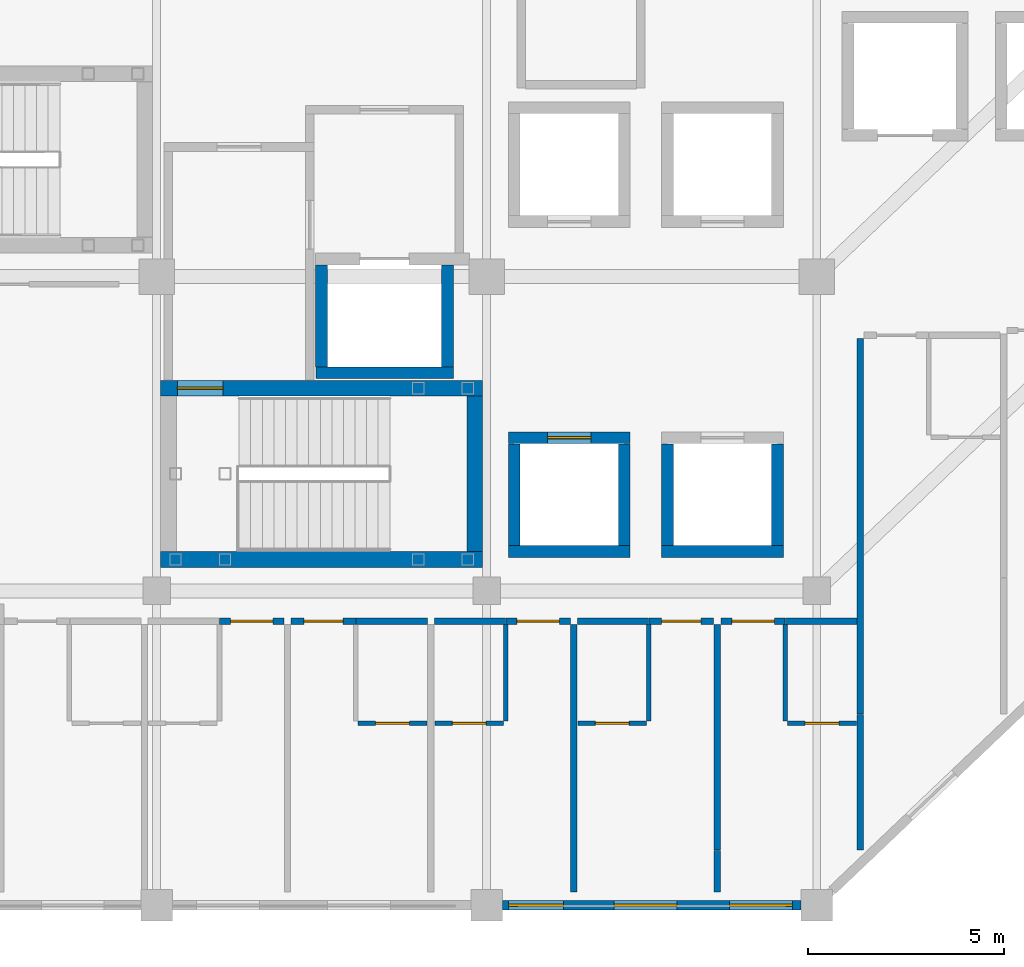
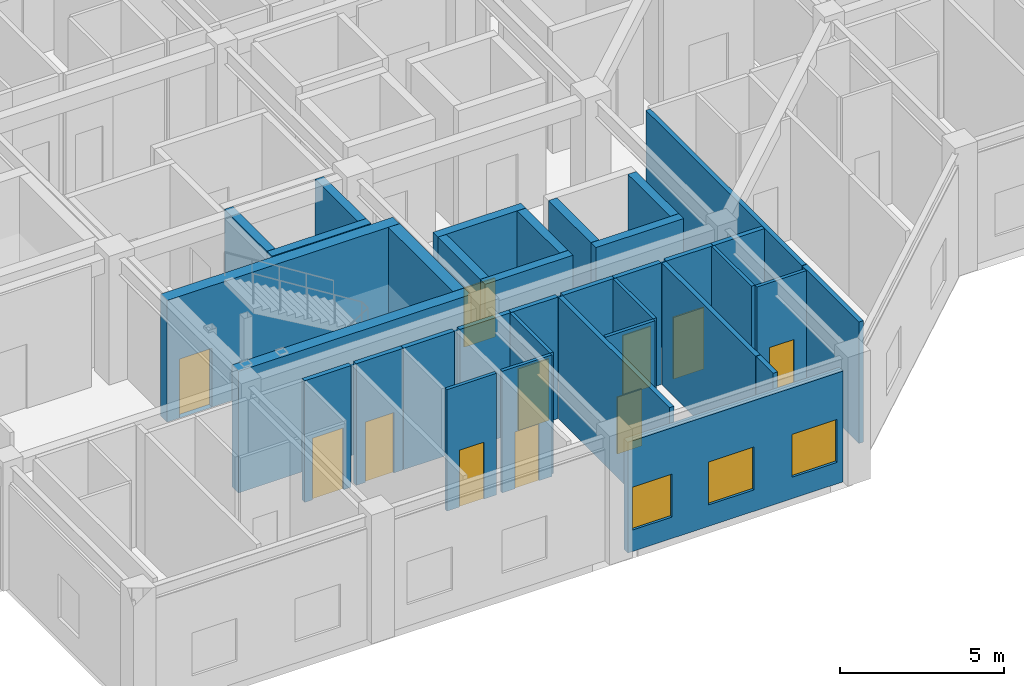
# One storey, part 58 of 76: 35 walls, 11 doors, 3 windows, 14 openings.
"""IFC4 building model written with IfcOpenShell, lengths in metres."""

import ifcopenshell
import ifcopenshell.guid

model = None  # the IFC model being written
_history = None  # IfcOwnerHistory: only IFC2X3 demands one
_inside = {}  # id of a spatial element -> (the spatial element, [elements in it])
_under = {}  # id of a project, library or spatial element -> (it, [spatial elements below it])
_declared = {}  # id of a project -> (the project, [libraries it declares])
_typed = {}  # id of a type object -> (the type object, [elements of that type])
_made_of = {}  # id of a material, layer set ... -> (it, [elements and type objects made of it])


def new_model(schema):
    """Start an empty IFC model of exactly this schema.

    Asked for "IFC4X3", IfcOpenShell would pick the latest addendum, in which some entities
    have other attributes; the version numbers below select the first issue.
    IFC2X3 requires an IfcOwnerHistory on every rooted entity: one is made here for all.
    """
    global model, _history
    if schema == "IFC4X3":
        model = ifcopenshell.file(schema_version=(4, 3, 0, 0))
    else:
        model = ifcopenshell.file(schema=schema)
    _inside.clear()
    _under.clear()
    _declared.clear()
    _typed.clear()
    _made_of.clear()
    _history = None
    if model.schema == "IFC2X3":
        org = make("IfcOrganization", Name="unknown")
        user = make(
            "IfcPersonAndOrganization",
            ThePerson=make("IfcPerson", FamilyName="unknown"),
            TheOrganization=org,
        )
        app = make(
            "IfcApplication",
            ApplicationDeveloper=org,
            Version="unknown",
            ApplicationFullName="unknown",
            ApplicationIdentifier="unknown",
        )
        _history = make(
            "IfcOwnerHistory",
            OwningUser=user,
            OwningApplication=app,
            ChangeAction="ADDED",
            CreationDate=0,
        )
    return model


def make(cls, **values):
    """One entity of the class cls with the attributes given. An attribute that is None is left unset."""
    return model.create_entity(
        cls, **{name: value for name, value in values.items() if value is not None}
    )


def rooted(cls, **values):
    """An entity with a GlobalId (a new one), such as an element, a storey or a relation."""
    return make(cls, GlobalId=ifcopenshell.guid.new(), OwnerHistory=_history, **values)


def si_unit(unit_type, name, prefix=None):
    """IfcSIUnit, for example si_unit("LENGTHUNIT", "METRE", prefix="MILLI")."""
    return make("IfcSIUnit", UnitType=unit_type, Prefix=prefix, Name=name)


def assignment(units):
    """IfcUnitAssignment: the units of a project."""
    return None if units is None else make("IfcUnitAssignment", Units=units)


def point(xyz):
    """IfcCartesianPoint."""
    return None if xyz is None else make("IfcCartesianPoint", Coordinates=xyz)


def direction(xyz):
    """IfcDirection."""
    return None if xyz is None else make("IfcDirection", DirectionRatios=xyz)


def frame(location, z_axis=None, x_axis=None):
    """IfcAxis2Placement3D, a coordinate frame: its origin and axes. An axis left out is left unset."""
    return make(
        "IfcAxis2Placement3D",
        Location=point(location),
        Axis=direction(z_axis),
        RefDirection=direction(x_axis),
    )


def frame_2d(location, x_axis=None):
    """IfcAxis2Placement2D, a coordinate frame in the plane: its origin and x axis."""
    return make(
        "IfcAxis2Placement2D", Location=point(location), RefDirection=direction(x_axis)
    )


def origin():
    """The frame at (0, 0, 0) with its axes left unset."""
    return frame((0.0, 0.0, 0.0))


def place(relative_to, where):
    """IfcLocalPlacement: puts the frame where relative to a parent placement (None: the world)."""
    return make(
        "IfcLocalPlacement", PlacementRelTo=relative_to, RelativePlacement=where
    )


def context(
    kind, dimensions, precision=None, world=None, true_north=None, identifier=None
):
    """IfcGeometricRepresentationContext, for example the 3D "Model" context."""
    return make(
        "IfcGeometricRepresentationContext",
        ContextIdentifier=identifier,
        ContextType=kind,
        CoordinateSpaceDimension=dimensions,
        Precision=precision,
        WorldCoordinateSystem=world,
        TrueNorth=true_north,
    )


def subcontext(parent, identifier, kind, view, scale=None):
    """IfcGeometricRepresentationSubContext, for example "Body" below "Model"."""
    return make(
        "IfcGeometricRepresentationSubContext",
        ContextIdentifier=identifier,
        ContextType=kind,
        ParentContext=parent,
        TargetScale=scale,
        TargetView=view,
    )


def project(units=None, contexts=None):
    """IfcProject with its units and contexts."""
    return rooted(
        "IfcProject",
        Name="project",
        RepresentationContexts=contexts,
        UnitsInContext=assignment(units),
    )


def spatial(cls, under=None, at=None, **own):
    """A site, building, storey or space (cls), placed at a placement, below another one or the project."""
    s = rooted(cls, ObjectPlacement=at, **own)
    if under is not None:
        _under.setdefault(under.id(), (under, []))[1].append(s)
    return s


def profile(cls, at=None, kind="AREA", **sizes):
    """A parametric profile (cls). Its sizes go by their IFC names, for example OverallWidth=200.0."""
    return make(cls, ProfileType=kind, Position=at, **sizes)


def rectangle(**sizes):
    """IfcRectangleProfileDef."""
    return profile("IfcRectangleProfileDef", **sizes)


def extrude(swept, where, along, depth):
    """IfcExtrudedAreaSolid: the profile swept, set in the frame where, extruded along a direction by depth."""
    return make(
        "IfcExtrudedAreaSolid",
        SweptArea=swept,
        Position=where,
        ExtrudedDirection=direction(along),
        Depth=depth,
    )


def shape(context_of_items, identifier, shape_type, items):
    """IfcShapeRepresentation: the items that make up one representation, for example the "Body"."""
    return make(
        "IfcShapeRepresentation",
        ContextOfItems=context_of_items,
        RepresentationIdentifier=identifier,
        RepresentationType=shape_type,
        Items=items,
    )


def material(Name=None, Category=None):
    """IfcMaterial."""
    return make("IfcMaterial", Name=Name, Category=Category)


def layer(
    of_material, thickness, ventilated=None, Name=None, Category=None, Priority=None
):
    """IfcMaterialLayer: one layer of a wall or slab, of a material (None: an air gap)."""
    return make(
        "IfcMaterialLayer",
        Material=of_material,
        LayerThickness=thickness,
        IsVentilated=ventilated,
        Name=Name,
        Category=Category,
        Priority=Priority,
    )


def layer_set(layers, Name=None):
    """IfcMaterialLayerSet."""
    return make("IfcMaterialLayerSet", MaterialLayers=layers, LayerSetName=Name)


def made_of(thing, what):
    """Note that an element or type object is made of a material, layer set ...; save() writes the relation."""
    if what is not None:
        _made_of.setdefault(what.id(), (what, []))[1].append(thing)
    return thing


def type_object(cls, material=None, **own):
    """A type object (cls), such as IfcWallType, which elements share."""
    return made_of(rooted(cls, **own), material)


def element(
    cls,
    number,
    at=None,
    inside=None,
    cuts=None,
    type_object=None,
    material=None,
    context=None,
    identifier="Body",
    shape_type=None,
    held_by="IfcProductDefinitionShape",
    body=None,
    shapes=None,
    **own,
):
    """One element of the class cls, such as IfcWall. Its Tag is "e" and its number.

    at: its placement. inside: the storey or other place that contains it. cuts: it is an
    opening in that element (IfcRelVoidsElement). A single representation is given by context,
    identifier, shape_type and body (its items); several are given by shapes. held_by: the class
    of the entity that holds the representations. save() writes the other relations.
    """
    e = rooted(cls, Tag="e%d" % number, ObjectPlacement=at, **own)
    if body is not None:
        shapes = [shape(context, identifier, shape_type, body)]
    if shapes is not None:
        e.Representation = make(held_by, Representations=shapes)
    if inside is not None:
        _inside.setdefault(inside.id(), (inside, []))[1].append(e)
    if cuts is not None:
        rooted(
            "IfcRelVoidsElement", RelatingBuildingElement=cuts, RelatedOpeningElement=e
        )
    if type_object is not None:
        _typed.setdefault(type_object.id(), (type_object, []))[1].append(e)
    return made_of(e, material)


def fill(opening, filler):
    """IfcRelFillsElement: the door or window that sits in an opening."""
    return rooted(
        "IfcRelFillsElement",
        RelatingOpeningElement=opening,
        RelatedBuildingElement=filler,
    )


def aggregate(whole, parts):
    """IfcRelAggregates: a whole, such as a stair, and the parts it consists of."""
    return rooted("IfcRelAggregates", RelatingObject=whole, RelatedObjects=parts)


def save(model, path):
    """Write the relations noted so far, then the file.

    IfcRelAggregates (storeys below a building ...), IfcRelContainedInSpatialStructure (elements
    in a storey), IfcRelDefinesByType, IfcRelAssociatesMaterial and IfcRelDeclares: one each for
    every whole, place, type object, material and project.
    """
    for whole, parts in _under.values():
        aggregate(whole, parts)
    for where, things in _inside.values():
        rooted(
            "IfcRelContainedInSpatialStructure",
            RelatedElements=things,
            RelatingStructure=where,
        )
    for kind, things in _typed.values():
        rooted("IfcRelDefinesByType", RelatedObjects=things, RelatingType=kind)
    for what, things in _made_of.values():
        rooted("IfcRelAssociatesMaterial", RelatedObjects=things, RelatingMaterial=what)
    for by, libraries in _declared.values():
        rooted("IfcRelDeclares", RelatingContext=by, RelatedDefinitions=libraries)
    model.write(path)


model = new_model("IFC4")

# Units and contexts
model_context = context("Model", 3, precision=1e-05, world=origin(), true_north=direction((0.0, 1.0)))
body_context = subcontext(model_context, "Body", "Model", "MODEL_VIEW")
ifc_project = project(units=[si_unit("LENGTHUNIT", "METRE"), si_unit("AREAUNIT", "SQUARE_METRE"), si_unit("VOLUMEUNIT", "CUBIC_METRE"), si_unit("PLANEANGLEUNIT", "RADIAN"), si_unit("MASSUNIT", "GRAM", prefix="KILO")], contexts=[model_context])

# Site, building, storey
site_placement = place(None, origin())
site = spatial("IfcSite", under=ifc_project, at=site_placement, CompositionType="ELEMENT")
building_placement = place(site_placement, origin())
building = spatial("IfcBuilding", under=site, at=building_placement, Name="Naruveol Harbour Congress Hotel", CompositionType="ELEMENT")
storey_placement = place(building_placement, frame((0.0, 0.0, 11.39990234375)))
storey = spatial("IfcBuildingStorey", under=building, at=storey_placement, Name="L02", CompositionType="ELEMENT", Elevation=11.39990234375)

# Wall, opening, door
ifc_material_1 = material(Name="Moisture-Resistant Gypsum Partition", Category="gypsum")
ifc_layer_1 = layer(ifc_material_1, 0.114990234375)
ifc_layer_set_1 = layer_set([ifc_layer_1], Name="Moisture-Resistant Gypsum Partition")
wall_type_1 = type_object("IfcWallType", Name="BATHROOM MOISTURE PARTITION WALL 115", PredefinedType="PARTITIONING", material=ifc_layer_set_1)
wall_1_placement = place(storey_placement, frame((131.1298828125, 4.6298828125, 0.0), z_axis=(0.0, 0.0, 1.0), x_axis=(1.0, 0.0, 0.0)))
wall_1 = element("IfcWall", 1, at=wall_1_placement, inside=storey, type_object=wall_type_1, Name="Bathroom south wall 0304 PW-115", PredefinedType="PARTITIONING", context=body_context, shape_type="SweptSolid", body=[
    extrude(rectangle(XDim=1.75, YDim=0.114990234375, at=frame_2d((0.875, 0.0))), origin(), (0.0, 0.0, 1.0), 4.53515625),
])
opening_1_placement = place(wall_1_placement, frame((0.445068359375, 0.0, 0.0)))
opening_1 = element("IfcOpeningElement", 2, at=opening_1_placement, cuts=wall_1, Name="Opening BD-RM0304", PredefinedType="OPENING", context=body_context, shape_type="SweptSolid", body=[
    extrude(rectangle(XDim=0.860107421875, YDim=2.1201171875, at=frame_2d((0.43017578125, 1.06005859375))), frame((0.0, 0.0673828125, 0.0), z_axis=(0.0, -1.0, 0.0), x_axis=(1.0, 0.0, 0.0)), (0.0, 0.0, 1.0), 0.135009765625),
])
ifc_material_2 = material(Name="Timber & Steel Acoustic Leaf", Category="steel")
door_type_1 = type_object("IfcDoorType", Name="GUEST BATHROOM DOOR 860X2120", OperationType="NOTDEFINED", PredefinedType="DOOR", material=ifc_material_2)
door_1_placement = place(opening_1_placement, origin())
door_1 = element("IfcDoor", 3, at=door_1_placement, inside=storey, type_object=door_type_1, Name="Bathroom Door 0304", OperationType="SINGLE_SWING_RIGHT", OverallHeight=2.1201171875, OverallWidth=0.860107421875, PredefinedType="DOOR", context=body_context, shape_type="SweptSolid", body=[
    extrude(rectangle(XDim=0.860107421875, YDim=2.1201171875, at=frame_2d((0.43017578125, 1.06005859375))), frame((0.0, 0.02490234375, 0.0), z_axis=(0.0, -1.0, 0.0), x_axis=(1.0, 0.0, 0.0)), (0.0, 0.0, 1.0), 0.050048828125),
])
fill(opening_1, door_1)

# Wall
wall_2_placement = place(storey_placement, frame((134.889892578125, 4.68994140625, 0.0), z_axis=(0.0, 0.0, 1.0), x_axis=(0.0, 1.0, 0.0)))
element("IfcWall", 4, at=wall_2_placement, inside=storey, type_object=wall_type_1, Name="Bathroom east wall 0305 PW-115", PredefinedType="PARTITIONING", context=body_context, shape_type="SweptSolid", body=[
    extrude(rectangle(XDim=2.449951171875, YDim=0.114990234375, at=frame_2d((1.22509765625, 0.0))), origin(), (0.0, 0.0, 1.0), 4.53515625),
])

# Wall, opening, door
wall_3_placement = place(storey_placement, frame((133.080078125, 4.6298828125, 0.0), z_axis=(0.0, 0.0, 1.0), x_axis=(1.0, 0.0, 0.0)))
wall_3 = element("IfcWall", 5, at=wall_3_placement, inside=storey, type_object=wall_type_1, Name="Bathroom south wall 0305 PW-115", PredefinedType="PARTITIONING", context=body_context, shape_type="SweptSolid", body=[
    extrude(rectangle(XDim=1.75, YDim=0.114990234375, at=frame_2d((0.875, 0.0))), origin(), (0.0, 0.0, 1.0), 4.53515625),
])
opening_2_placement = place(wall_3_placement, frame((0.445068359375, 0.0, 0.0)))
opening_2 = element("IfcOpeningElement", 6, at=opening_2_placement, cuts=wall_3, Name="Opening BD-RM0305", PredefinedType="OPENING", context=body_context, shape_type="SweptSolid", body=[
    extrude(rectangle(XDim=0.860107421875, YDim=2.1201171875, at=frame_2d((0.43017578125, 1.06005859375))), frame((0.0, 0.0673828125, 0.0), z_axis=(0.0, -1.0, 0.0), x_axis=(1.0, 0.0, 0.0)), (0.0, 0.0, 1.0), 0.135009765625),
])
door_2_placement = place(opening_2_placement, origin())
door_2 = element("IfcDoor", 7, at=door_2_placement, inside=storey, type_object=door_type_1, Name="Bathroom Door 0305", OperationType="SINGLE_SWING_RIGHT", OverallHeight=2.1201171875, OverallWidth=0.860107421875, PredefinedType="DOOR", context=body_context, shape_type="SweptSolid", body=[
    extrude(rectangle(XDim=0.860107421875, YDim=2.1201171875, at=frame_2d((0.43017578125, 1.06005859375))), frame((0.0, 0.02490234375, 0.0), z_axis=(0.0, -1.0, 0.0), x_axis=(1.0, 0.0, 0.0)), (0.0, 0.0, 1.0), 0.050048828125),
])
fill(opening_2, door_2)

# Wall
wall_4_placement = place(storey_placement, frame((138.530029296875, 4.68994140625, 0.0), z_axis=(0.0, 0.0, 1.0), x_axis=(0.0, 1.0, 0.0)))
element("IfcWall", 8, at=wall_4_placement, inside=storey, type_object=wall_type_1, Name="Bathroom east wall 0306 PW-115", PredefinedType="PARTITIONING", context=body_context, shape_type="SweptSolid", body=[
    extrude(rectangle(XDim=2.449951171875, YDim=0.114990234375, at=frame_2d((1.22509765625, 0.0))), origin(), (0.0, 0.0, 1.0), 4.53515625),
])

# Wall, opening, door
wall_5_placement = place(storey_placement, frame((136.719970703125, 4.6298828125, 0.0), z_axis=(0.0, 0.0, 1.0), x_axis=(1.0, 0.0, 0.0)))
wall_5 = element("IfcWall", 9, at=wall_5_placement, inside=storey, type_object=wall_type_1, Name="Bathroom south wall 0306 PW-115", PredefinedType="PARTITIONING", context=body_context, shape_type="SweptSolid", body=[
    extrude(rectangle(XDim=1.75, YDim=0.114990234375, at=frame_2d((0.875, 0.0))), origin(), (0.0, 0.0, 1.0), 4.53515625),
])
opening_3_placement = place(wall_5_placement, frame((0.445068359375, 0.0, 0.0)))
opening_3 = element("IfcOpeningElement", 10, at=opening_3_placement, cuts=wall_5, Name="Opening BD-RM0306", PredefinedType="OPENING", context=body_context, shape_type="SweptSolid", body=[
    extrude(rectangle(XDim=0.860107421875, YDim=2.1201171875, at=frame_2d((0.43017578125, 1.06005859375))), frame((0.0, 0.0673828125, 0.0), z_axis=(0.0, -1.0, 0.0), x_axis=(1.0, 0.0, 0.0)), (0.0, 0.0, 1.0), 0.135009765625),
])
door_3_placement = place(opening_3_placement, origin())
door_3 = element("IfcDoor", 11, at=door_3_placement, inside=storey, type_object=door_type_1, Name="Bathroom Door 0306", OperationType="SINGLE_SWING_RIGHT", OverallHeight=2.1201171875, OverallWidth=0.860107421875, PredefinedType="DOOR", context=body_context, shape_type="SweptSolid", body=[
    extrude(rectangle(XDim=0.860107421875, YDim=2.1201171875, at=frame_2d((0.43017578125, 1.06005859375))), frame((0.0, 0.02490234375, 0.0), z_axis=(0.0, -1.0, 0.0), x_axis=(1.0, 0.0, 0.0)), (0.0, 0.0, 1.0), 0.050048828125),
])
fill(opening_3, door_3)

# Wall
wall_6_placement = place(storey_placement, frame((142.0, 4.68994140625, 0.0), z_axis=(0.0, 0.0, 1.0), x_axis=(0.0, 1.0, 0.0)))
element("IfcWall", 12, at=wall_6_placement, inside=storey, type_object=wall_type_1, Name="Bathroom west wall 0307 PW-115", PredefinedType="PARTITIONING", context=body_context, shape_type="SweptSolid", body=[
    extrude(rectangle(XDim=2.449951171875, YDim=0.114990234375, at=frame_2d((1.22509765625, 0.0))), origin(), (0.0, 0.0, 1.0), 4.53515625),
])

# Wall, opening, door
wall_7_placement = place(storey_placement, frame((142.06005859375, 4.6298828125, 0.0), z_axis=(0.0, 0.0, 1.0), x_axis=(1.0, 0.0, 0.0)))
wall_7 = element("IfcWall", 13, at=wall_7_placement, inside=storey, type_object=wall_type_1, Name="Bathroom south wall 0307 PW-115", PredefinedType="PARTITIONING", context=body_context, shape_type="SweptSolid", body=[
    extrude(rectangle(XDim=1.75, YDim=0.114990234375, at=frame_2d((0.875, 0.0))), origin(), (0.0, 0.0, 1.0), 4.53515625),
])
opening_4_placement = place(wall_7_placement, frame((0.445068359375, 0.0, 0.0)))
opening_4 = element("IfcOpeningElement", 14, at=opening_4_placement, cuts=wall_7, Name="Opening BD-RM0307", PredefinedType="OPENING", context=body_context, shape_type="SweptSolid", body=[
    extrude(rectangle(XDim=0.860107421875, YDim=2.1201171875, at=frame_2d((0.43017578125, 1.06005859375))), frame((0.0, 0.0673828125, 0.0), z_axis=(0.0, -1.0, 0.0), x_axis=(1.0, 0.0, 0.0)), (0.0, 0.0, 1.0), 0.135009765625),
])
door_4_placement = place(opening_4_placement, origin())
door_4 = element("IfcDoor", 15, at=door_4_placement, inside=storey, type_object=door_type_1, Name="Bathroom Door 0307", OperationType="SINGLE_SWING_RIGHT", OverallHeight=2.1201171875, OverallWidth=0.860107421875, PredefinedType="DOOR", context=body_context, shape_type="SweptSolid", body=[
    extrude(rectangle(XDim=0.860107421875, YDim=2.1201171875, at=frame_2d((0.43017578125, 1.06005859375))), frame((0.0, 0.02490234375, 0.0), z_axis=(0.0, -1.0, 0.0), x_axis=(1.0, 0.0, 0.0)), (0.0, 0.0, 1.0), 0.050048828125),
])
fill(opening_4, door_4)

ifc_material_3 = material(Name="Autoclaved Aerated Concrete Block", Category="concrete")
ifc_layer_2 = layer(ifc_material_3, 0.159912109375)
ifc_layer_set_2 = layer_set([ifc_layer_2], Name="Autoclaved Aerated Concrete Block")
wall_type_2 = type_object("IfcWallType", Name="HOTEL PARTY AND CORRIDOR WALL 160 EI60", PredefinedType="PARTITIONING", material=ifc_layer_set_2)
wall_8_placement = place(storey_placement, frame((127.60009765625, 7.22998046875, 0.0), z_axis=(0.0, 0.0, 1.0), x_axis=(1.0, 0.0, 0.0)))
wall_8 = element("IfcWall", 16, at=wall_8_placement, inside=storey, type_object=wall_type_2, Name="Corridor entry wall 0303 PW-160", PredefinedType="PARTITIONING", context=body_context, shape_type="SweptSolid", body=[
    extrude(rectangle(XDim=1.639892578125, YDim=0.159912109375, at=frame_2d((0.81982421875, 0.0))), origin(), (0.0, 0.0, 1.0), 4.53515625),
])
opening_5_placement = place(wall_8_placement, frame((0.280029296875, 0.0, 0.0)))
opening_5 = element("IfcOpeningElement", 17, at=opening_5_placement, cuts=wall_8, Name="Opening FD-RM0303", PredefinedType="OPENING", context=body_context, shape_type="SweptSolid", body=[
    extrude(rectangle(XDim=1.080078125, YDim=2.300048828125, at=frame_2d((0.5400390625, 1.14990234375))), frame((0.0, 0.08984375, 0.0), z_axis=(0.0, -1.0, 0.0), x_axis=(1.0, 0.0, 0.0)), (0.0, 0.0, 1.0), 0.179931640625),
])
ifc_material_4 = material(Name="Timber & Steel Acoustic Leaf", Category="steel")
door_type_2 = type_object("IfcDoorType", Name="SUITE ENTRANCE FIRE DOOR 1080X2300", OperationType="NOTDEFINED", PredefinedType="DOOR", material=ifc_material_4)
door_5_placement = place(opening_5_placement, origin())
door_5 = element("IfcDoor", 18, at=door_5_placement, inside=storey, type_object=door_type_2, Name="Hotel Room Door 0303", OperationType="SINGLE_SWING_LEFT", OverallHeight=2.300048828125, OverallWidth=1.080078125, PredefinedType="DOOR", context=body_context, shape_type="SweptSolid", body=[
    extrude(rectangle(XDim=1.080078125, YDim=2.300048828125, at=frame_2d((0.5400390625, 1.14990234375))), frame((0.0, 0.02490234375, 0.0), z_axis=(0.0, -1.0, 0.0), x_axis=(1.0, 0.0, 0.0)), (0.0, 0.0, 1.0), 0.050048828125),
])
fill(opening_5, door_5)

wall_9_placement = place(storey_placement, frame((129.419921875, 7.22998046875, 0.0), z_axis=(0.0, 0.0, 1.0), x_axis=(1.0, 0.0, 0.0)))
wall_9 = element("IfcWall", 19, at=wall_9_placement, inside=storey, type_object=wall_type_2, Name="Corridor entry wall 0304 PW-160", PredefinedType="PARTITIONING", context=body_context, shape_type="SweptSolid", body=[
    extrude(rectangle(XDim=1.650146484375, YDim=0.159912109375, at=frame_2d((0.8251953125, 0.0))), origin(), (0.0, 0.0, 1.0), 4.53515625),
])
opening_6_placement = place(wall_9_placement, frame((0.324951171875, 0.0, 0.0)))
opening_6 = element("IfcOpeningElement", 20, at=opening_6_placement, cuts=wall_9, Name="Opening FD-RM0304", PredefinedType="OPENING", context=body_context, shape_type="SweptSolid", body=[
    extrude(rectangle(XDim=1.0, YDim=2.25, at=frame_2d((0.5, 1.125))), frame((0.0, 0.08984375, 0.0), z_axis=(0.0, -1.0, 0.0), x_axis=(1.0, 0.0, 0.0)), (0.0, 0.0, 1.0), 0.179931640625),
])
ifc_material_5 = material(Name="Timber & Steel Acoustic Leaf", Category="steel")
door_type_3 = type_object("IfcDoorType", Name="DELUXE GUEST ENTRANCE FIRE DOOR 1000X2250", OperationType="NOTDEFINED", PredefinedType="DOOR", material=ifc_material_5)
door_6_placement = place(opening_6_placement, origin())
door_6 = element("IfcDoor", 21, at=door_6_placement, inside=storey, type_object=door_type_3, Name="Hotel Room Door 0304", OperationType="SINGLE_SWING_LEFT", OverallHeight=2.25, OverallWidth=1.0, PredefinedType="DOOR", context=body_context, shape_type="SweptSolid", body=[
    extrude(rectangle(XDim=1.0, YDim=2.25, at=frame_2d((0.5, 1.125))), frame((0.0, 0.02490234375, 0.0), z_axis=(0.0, -1.0, 0.0), x_axis=(1.0, 0.0, 0.0)), (0.0, 0.0, 1.0), 0.050048828125),
])
fill(opening_6, door_6)

# Walls
for number, where, z_axis, x_axis, name in (
    (22, (131.080078125, 7.22998046875, 0.0), (0.0, 0.0, 1.0), (1.0, 0.0, 0.0), "Corridor wall 0304B PW-160"),
    (23, (133.070068359375, 7.22998046875, 0.0), (0.0, 0.0, 1.0), (1.0, 0.0, 0.0), "Corridor wall 0305B PW-160"),
):
    element("IfcWall", number, at=place(storey_placement, frame(where, z_axis=z_axis, x_axis=x_axis)), inside=storey, type_object=wall_type_2, Name=name, PredefinedType="PARTITIONING", context=body_context, shape_type="SweptSolid", body=[
        extrude(rectangle(XDim=1.809814453125, YDim=0.159912109375, at=frame_2d((0.90478515625, 0.0))), origin(), (0.0, 0.0, 1.0), 4.53515625),
    ])

# Wall, opening, door
wall_10_placement = place(storey_placement, frame((134.889892578125, 7.22998046875, 0.0), z_axis=(0.0, 0.0, 1.0), x_axis=(1.0, 0.0, 0.0)))
wall_10 = element("IfcWall", 24, at=wall_10_placement, inside=storey, type_object=wall_type_2, Name="Corridor entry wall 0305 PW-160", PredefinedType="PARTITIONING", context=body_context, shape_type="SweptSolid", body=[
    extrude(rectangle(XDim=1.64013671875, YDim=0.159912109375, at=frame_2d((0.820068359375, 0.0))), origin(), (0.0, 0.0, 1.0), 4.53515625),
])
opening_7_placement = place(wall_10_placement, frame((0.280029296875, 0.0, 0.0)))
opening_7 = element("IfcOpeningElement", 25, at=opening_7_placement, cuts=wall_10, Name="Opening FD-RM0305", PredefinedType="OPENING", context=body_context, shape_type="SweptSolid", body=[
    extrude(rectangle(XDim=1.080078125, YDim=2.300048828125, at=frame_2d((0.5400390625, 1.14990234375))), frame((0.0, 0.08984375, 0.0), z_axis=(0.0, -1.0, 0.0), x_axis=(1.0, 0.0, 0.0)), (0.0, 0.0, 1.0), 0.179931640625),
])
door_7_placement = place(opening_7_placement, origin())
door_7 = element("IfcDoor", 26, at=door_7_placement, inside=storey, type_object=door_type_2, Name="Hotel Room Door 0305", OperationType="SINGLE_SWING_LEFT", OverallHeight=2.300048828125, OverallWidth=1.080078125, PredefinedType="DOOR", context=body_context, shape_type="SweptSolid", body=[
    extrude(rectangle(XDim=1.080078125, YDim=2.300048828125, at=frame_2d((0.5400390625, 1.14990234375))), frame((0.0, 0.02490234375, 0.0), z_axis=(0.0, -1.0, 0.0), x_axis=(1.0, 0.0, 0.0)), (0.0, 0.0, 1.0), 0.050048828125),
])
fill(opening_7, door_7)

# Wall
wall_11_placement = place(storey_placement, frame((136.7099609375, 7.22998046875, 0.0), z_axis=(0.0, 0.0, 1.0), x_axis=(1.0, 0.0, 0.0)))
element("IfcWall", 27, at=wall_11_placement, inside=storey, type_object=wall_type_2, Name="Corridor wall 0306B PW-160", PredefinedType="PARTITIONING", context=body_context, shape_type="SweptSolid", body=[
    extrude(rectangle(XDim=1.81005859375, YDim=0.159912109375, at=frame_2d((0.905029296875, 0.0))), origin(), (0.0, 0.0, 1.0), 4.53515625),
])

# Wall, opening, door
wall_12_placement = place(storey_placement, frame((138.530029296875, 7.22998046875, 0.0), z_axis=(0.0, 0.0, 1.0), x_axis=(1.0, 0.0, 0.0)))
wall_12 = element("IfcWall", 28, at=wall_12_placement, inside=storey, type_object=wall_type_2, Name="Corridor entry wall 0306 PW-160", PredefinedType="PARTITIONING", context=body_context, shape_type="SweptSolid", body=[
    extrude(rectangle(XDim=1.64990234375, YDim=0.159912109375, at=frame_2d((0.824951171875, 0.0))), origin(), (0.0, 0.0, 1.0), 4.53515625),
])
opening_8_placement = place(wall_12_placement, frame((0.324951171875, 0.0, 0.0)))
opening_8 = element("IfcOpeningElement", 29, at=opening_8_placement, cuts=wall_12, Name="Opening FD-RM0306", PredefinedType="OPENING", context=body_context, shape_type="SweptSolid", body=[
    extrude(rectangle(XDim=1.0, YDim=2.25, at=frame_2d((0.5, 1.125))), frame((0.0, 0.08984375, 0.0), z_axis=(0.0, -1.0, 0.0), x_axis=(1.0, 0.0, 0.0)), (0.0, 0.0, 1.0), 0.179931640625),
])
door_8_placement = place(opening_8_placement, origin())
door_8 = element("IfcDoor", 30, at=door_8_placement, inside=storey, type_object=door_type_3, Name="Hotel Room Door 0306", OperationType="SINGLE_SWING_LEFT", OverallHeight=2.25, OverallWidth=1.0, PredefinedType="DOOR", context=body_context, shape_type="SweptSolid", body=[
    extrude(rectangle(XDim=1.0, YDim=2.25, at=frame_2d((0.5, 1.125))), frame((0.0, 0.02490234375, 0.0), z_axis=(0.0, -1.0, 0.0), x_axis=(1.0, 0.0, 0.0)), (0.0, 0.0, 1.0), 0.050048828125),
])
fill(opening_8, door_8)

# Walls
wall_13_placement = place(storey_placement, frame((136.6201171875, 0.340087890625, 0.0), z_axis=(0.0, 0.0, 1.0), x_axis=(0.0, 1.0, 0.0)))
element("IfcWall", 31, at=wall_13_placement, inside=storey, type_object=wall_type_2, Name="Hotel party wall 0306 PW-160", PredefinedType="PARTITIONING", context=body_context, shape_type="SweptSolid", body=[
    extrude(rectangle(XDim=6.7998046875, YDim=0.159912109375, at=frame_2d((3.39990234375, 0.0))), origin(), (0.0, 0.0, 1.0), 4.53515625),
])
wall_14_placement = place(storey_placement, frame((140.27001953125, 0.340087890625, 0.0), z_axis=(0.0, 0.0, 1.0), x_axis=(0.0, 1.0, 0.0)))
element("IfcWall", 32, at=wall_14_placement, inside=storey, type_object=wall_type_2, Name="Hotel end party wall 0306 PW-160", PredefinedType="PARTITIONING", context=body_context, shape_type="SweptSolid", body=[
    extrude(rectangle(XDim=1.0498046875, YDim=0.159912109375, at=frame_2d((0.52490234375, 0.0))), origin(), (0.0, 0.0, 1.0), 4.53515625),
])

# Wall, opening, door
wall_15_placement = place(storey_placement, frame((140.360107421875, 7.22998046875, 0.0), z_axis=(0.0, 0.0, 1.0), x_axis=(1.0, 0.0, 0.0)))
wall_15 = element("IfcWall", 33, at=wall_15_placement, inside=storey, type_object=wall_type_2, Name="Corridor entry wall 0307 PW-160", PredefinedType="PARTITIONING", context=body_context, shape_type="SweptSolid", body=[
    extrude(rectangle(XDim=1.639892578125, YDim=0.159912109375, at=frame_2d((0.81982421875, 0.0))), origin(), (0.0, 0.0, 1.0), 4.53515625),
])
opening_9_placement = place(wall_15_placement, frame((0.280029296875, 0.0, 0.0)))
opening_9 = element("IfcOpeningElement", 34, at=opening_9_placement, cuts=wall_15, Name="Opening FD-RM0307", PredefinedType="OPENING", context=body_context, shape_type="SweptSolid", body=[
    extrude(rectangle(XDim=1.080078125, YDim=2.300048828125, at=frame_2d((0.5400390625, 1.14990234375))), frame((0.0, 0.08984375, 0.0), z_axis=(0.0, -1.0, 0.0), x_axis=(1.0, 0.0, 0.0)), (0.0, 0.0, 1.0), 0.179931640625),
])
door_9_placement = place(opening_9_placement, origin())
door_9 = element("IfcDoor", 35, at=door_9_placement, inside=storey, type_object=door_type_2, Name="Hotel Room Door 0307", OperationType="SINGLE_SWING_LEFT", OverallHeight=2.300048828125, OverallWidth=1.080078125, PredefinedType="DOOR", context=body_context, shape_type="SweptSolid", body=[
    extrude(rectangle(XDim=1.080078125, YDim=2.300048828125, at=frame_2d((0.5400390625, 1.14990234375))), frame((0.0, 0.02490234375, 0.0), z_axis=(0.0, -1.0, 0.0), x_axis=(1.0, 0.0, 0.0)), (0.0, 0.0, 1.0), 0.050048828125),
])
fill(opening_9, door_9)

# Walls
wall_16_placement = place(storey_placement, frame((142.010009765625, 7.22998046875, 0.0), z_axis=(0.0, 0.0, 1.0), x_axis=(1.0, 0.0, 0.0)))
element("IfcWall", 36, at=wall_16_placement, inside=storey, type_object=wall_type_2, Name="Corridor wall 0307B PW-160", PredefinedType="PARTITIONING", context=body_context, shape_type="SweptSolid", body=[
    extrude(rectangle(XDim=1.81005859375, YDim=0.159912109375, at=frame_2d((0.905029296875, 0.0))), origin(), (0.0, 0.0, 1.0), 4.53515625),
])
wall_17_placement = place(storey_placement, frame((140.27001953125, 1.39990234375, 0.0), z_axis=(0.0, 0.0, 1.0), x_axis=(0.0, 1.0, 0.0)))
element("IfcWall", 37, at=wall_17_placement, inside=storey, type_object=wall_type_2, Name="Hotel party wall 0307 PW-160", PredefinedType="PARTITIONING", context=body_context, shape_type="SweptSolid", body=[
    extrude(rectangle(XDim=5.739990234375, YDim=0.159912109375, at=frame_2d((2.8701171875, 0.0))), origin(), (0.0, 0.0, 1.0), 4.53515625),
])
wall_18_placement = place(storey_placement, frame((143.909912109375, 1.39990234375, 0.0), z_axis=(0.0, 0.0, 1.0), x_axis=(0.0, 1.0, 0.0)))
element("IfcWall", 38, at=wall_18_placement, inside=storey, type_object=wall_type_2, Name="Hotel end party wall 0307 PW-160", PredefinedType="PARTITIONING", context=body_context, shape_type="SweptSolid", body=[
    extrude(rectangle(XDim=3.460205078125, YDim=0.159912109375, at=frame_2d((1.72998046875, 0.0))), origin(), (0.0, 0.0, 1.0), 4.53515625),
])
wall_19_placement = place(storey_placement, frame((143.909912109375, 4.8701171875, 0.0), z_axis=(0.0, 0.0, 1.0), x_axis=(0.0, 1.0, 0.0)))
element("IfcWall", 39, at=wall_19_placement, inside=storey, type_object=wall_type_2, Name="Hotel party wall 0308 PW-160", PredefinedType="PARTITIONING", context=body_context, shape_type="SweptSolid", body=[
    extrude(rectangle(XDim=9.5498046875, YDim=0.159912109375, at=frame_2d((4.77490234375, 0.0))), origin(), (0.0, 0.0, 1.0), 4.53515625),
])

# Wall, openings, windows
ifc_material_6 = material(Name="Concrete C40/50", Category="concrete")
ifc_layer_3 = layer(ifc_material_6, 0.239990234375)
ifc_layer_set_3 = layer_set([ifc_layer_3], Name="Concrete C40/50")
wall_type_3 = type_object("IfcWallType", Name="INSULATED HOTEL SPANDREL WALL 240", PredefinedType="SOLIDWALL", material=ifc_layer_set_3)
wall_20_placement = place(storey_placement, frame((142.39990234375, 0.0, 0.0), z_axis=(0.0, 0.0, 1.0), x_axis=(-1.0, 0.0, 0.0)))
wall_20 = element("IfcWall", 40, at=wall_20_placement, inside=storey, type_object=wall_type_3, Name="Hotel south waterfront wall L02 EW-240", PredefinedType="SOLIDWALL", context=body_context, shape_type="SweptSolid", body=[
    extrude(rectangle(XDim=7.599853515625, YDim=0.239990234375, at=frame_2d((3.7998046875, 0.0))), origin(), (0.0, 0.0, 1.0), 4.130126953125),
])
opening_10_placement = place(wall_20_placement, frame((0.215087890625, 0.0, 0.800048828125)))
opening_10 = element("IfcOpeningElement", 41, at=opening_10_placement, cuts=wall_20, Name="Opening W-03", PredefinedType="OPENING", context=body_context, shape_type="SweptSolid", body=[
    extrude(rectangle(XDim=1.60009765625, YDim=1.60009765625, at=frame_2d((0.800048828125, 0.800048828125))), frame((0.0, 0.1298828125, 0.0), z_axis=(0.0, -1.0, 0.0), x_axis=(1.0, 0.0, 0.0)), (0.0, 0.0, 1.0), 0.260009765625),
])
opening_11_placement = place(wall_20_placement, frame((3.155029296875, 0.0, 0.800048828125)))
opening_11 = element("IfcOpeningElement", 42, at=opening_11_placement, cuts=wall_20, Name="Opening W-03", PredefinedType="OPENING", context=body_context, shape_type="SweptSolid", body=[
    extrude(rectangle(XDim=1.60009765625, YDim=1.60009765625, at=frame_2d((0.800048828125, 0.800048828125))), frame((0.0, 0.1298828125, 0.0), z_axis=(0.0, -1.0, 0.0), x_axis=(1.0, 0.0, 0.0)), (0.0, 0.0, 1.0), 0.260009765625),
])
opening_12_placement = place(wall_20_placement, frame((6.0400390625, 0.0, 0.800048828125)))
opening_12 = element("IfcOpeningElement", 43, at=opening_12_placement, cuts=wall_20, Name="Opening W-02", PredefinedType="OPENING", context=body_context, shape_type="SweptSolid", body=[
    extrude(rectangle(XDim=1.39990234375, YDim=1.60009765625, at=frame_2d((0.699951171875, 0.800048828125))), frame((0.0, 0.1298828125, 0.0), z_axis=(0.0, -1.0, 0.0), x_axis=(1.0, 0.0, 0.0)), (0.0, 0.0, 1.0), 0.260009765625),
])
ifc_material_7 = material(Name="Low-E Triple Glazing in Thermal Aluminium", Category="aluminium")
window_type_1 = type_object("IfcWindowType", Name="DELUXE GUEST WINDOW 1600X1600", PartitioningType="SINGLE_PANEL", PredefinedType="WINDOW", material=ifc_material_7)
window_1_placement = place(opening_10_placement, origin())
window_1 = element("IfcWindow", 44, at=window_1_placement, inside=storey, type_object=window_type_1, Name="Window W-03 #192", OverallHeight=1.60009765625, OverallWidth=1.60009765625, PartitioningType="SINGLE_PANEL", PredefinedType="WINDOW", context=body_context, shape_type="SweptSolid", body=[
    extrude(rectangle(XDim=1.60009765625, YDim=1.60009765625, at=frame_2d((0.800048828125, 0.800048828125))), frame((0.0, 0.030029296875, 0.0), z_axis=(0.0, -1.0, 0.0), x_axis=(1.0, 0.0, 0.0)), (0.0, 0.0, 1.0), 0.06005859375),
])
fill(opening_10, window_1)
window_2_placement = place(opening_11_placement, origin())
window_2 = element("IfcWindow", 45, at=window_2_placement, inside=storey, type_object=window_type_1, Name="Window W-03 #193", OverallHeight=1.60009765625, OverallWidth=1.60009765625, PartitioningType="SINGLE_PANEL", PredefinedType="WINDOW", context=body_context, shape_type="SweptSolid", body=[
    extrude(rectangle(XDim=1.60009765625, YDim=1.60009765625, at=frame_2d((0.800048828125, 0.800048828125))), frame((0.0, 0.030029296875, 0.0), z_axis=(0.0, -1.0, 0.0), x_axis=(1.0, 0.0, 0.0)), (0.0, 0.0, 1.0), 0.06005859375),
])
fill(opening_11, window_2)
ifc_material_8 = material(Name="Low-E Triple Glazing in Thermal Aluminium", Category="aluminium")
window_type_2 = type_object("IfcWindowType", Name="GUEST ROOM HARBOUR WINDOW 1400X1600", PartitioningType="SINGLE_PANEL", PredefinedType="WINDOW", material=ifc_material_8)
window_3_placement = place(opening_12_placement, origin())
window_3 = element("IfcWindow", 46, at=window_3_placement, inside=storey, type_object=window_type_2, Name="Window W-02 #194", OverallHeight=1.60009765625, OverallWidth=1.39990234375, PartitioningType="SINGLE_PANEL", PredefinedType="WINDOW", context=body_context, shape_type="SweptSolid", body=[
    extrude(rectangle(XDim=1.39990234375, YDim=1.60009765625, at=frame_2d((0.699951171875, 0.800048828125))), frame((0.0, 0.030029296875, 0.0), z_axis=(0.0, -1.0, 0.0), x_axis=(1.0, 0.0, 0.0)), (0.0, 0.0, 1.0), 0.06005859375),
])
fill(opening_12, window_3)

# Walls
ifc_material_9 = material(Name="Concrete C50/60", Category="concrete")
ifc_layer_4 = layer(ifc_material_9, 0.39990234375)
ifc_layer_set_4 = layer_set([ifc_layer_4], Name="Concrete C50/60")
wall_type_4 = type_object("IfcWallType", Name="RC CORE SHEAR WALL 400 EI120", PredefinedType="SHEAR", material=ifc_layer_set_4)
wall_21_placement = place(storey_placement, frame((126.10009765625, 8.800048828125, 0.0), z_axis=(0.0, 0.0, 1.0), x_axis=(1.0, 0.0, 0.0)))
element("IfcWall", 47, at=wall_21_placement, inside=storey, type_object=wall_type_4, Name="Stair ST1 south core wall CW-400", PredefinedType="SHEAR", context=body_context, shape_type="SweptSolid", body=[
    extrude(rectangle(XDim=8.199951171875, YDim=0.39990234375, at=frame_2d((4.10009765625, 0.0))), origin(), (0.0, 0.0, 1.0), 4.53515625),
])
wall_22_placement = place(storey_placement, frame((134.10009765625, 9.0048828125, 0.0), z_axis=(0.0, 0.0, 1.0), x_axis=(0.0, 1.0, 0.0)))
element("IfcWall", 48, at=wall_22_placement, inside=storey, type_object=wall_type_4, Name="Stair ST1 east core wall CW-400", PredefinedType="SHEAR", context=body_context, shape_type="SweptSolid", body=[
    extrude(rectangle(XDim=3.9501953125, YDim=0.39990234375, at=frame_2d((1.97509765625, 0.0))), origin(), (0.0, 0.0, 1.0), 4.53515625),
])

# Wall, opening, door
wall_23_placement = place(storey_placement, frame((126.10009765625, 13.159912109375, 0.0), z_axis=(0.0, 0.0, 1.0), x_axis=(1.0, 0.0, 0.0)))
wall_23 = element("IfcWall", 49, at=wall_23_placement, inside=storey, type_object=wall_type_4, Name="Stair ST1 north core wall CW-400", PredefinedType="SHEAR", context=body_context, shape_type="SweptSolid", body=[
    extrude(rectangle(XDim=8.199951171875, YDim=0.39990234375, at=frame_2d((4.10009765625, 0.0))), origin(), (0.0, 0.0, 1.0), 4.53515625),
])
opening_13_placement = place(wall_23_placement, frame((0.429931640625, 0.0, 0.0)))
opening_13 = element("IfcOpeningElement", 50, at=opening_13_placement, cuts=wall_23, Name="Opening FD-ST1-S-L02", PredefinedType="OPENING", context=body_context, shape_type="SweptSolid", body=[
    extrude(rectangle(XDim=1.159912109375, YDim=2.199951171875, at=frame_2d((0.580078125, 1.10009765625))), frame((0.0, 0.2099609375, 0.0), z_axis=(0.0, -1.0, 0.0), x_axis=(1.0, 0.0, 0.0)), (0.0, 0.0, 1.0), 0.419921875),
])
ifc_material_10 = material(Name="Timber & Steel Acoustic Leaf", Category="steel")
door_type_4 = type_object("IfcDoorType", Name="SPECIAL ESCAPE STAIR FIRE DOOR 1160X2200", OperationType="NOTDEFINED", PredefinedType="DOOR", material=ifc_material_10)
door_10_placement = place(opening_13_placement, origin())
door_10 = element("IfcDoor", 51, at=door_10_placement, inside=storey, type_object=door_type_4, Name="Special Escape Stair Door ST1 L02", OperationType="SINGLE_SWING_RIGHT", OverallHeight=2.199951171875, OverallWidth=1.159912109375, PredefinedType="DOOR", context=body_context, shape_type="SweptSolid", body=[
    extrude(rectangle(XDim=1.159912109375, YDim=2.199951171875, at=frame_2d((0.580078125, 1.10009765625))), frame((0.0, 0.02490234375, 0.0), z_axis=(0.0, -1.0, 0.0), x_axis=(1.0, 0.0, 0.0)), (0.0, 0.0, 1.0), 0.050048828125),
])
fill(opening_13, door_10)

# Walls
ifc_material_11 = material(Name="Concrete C50/60", Category="concrete")
ifc_layer_5 = layer(ifc_material_11, 0.300048828125)
ifc_layer_set_5 = layer_set([ifc_layer_5], Name="Concrete C50/60")
wall_type_5 = type_object("IfcWallType", Name="RC STAIR AND HOISTWAY SHEAR WALL 300 EI120", PredefinedType="SHEAR", material=ifc_layer_set_5)
wall_24_placement = place(storey_placement, frame((134.949951171875, 9.0, 0.0), z_axis=(0.0, 0.0, 1.0), x_axis=(1.0, 0.0, 0.0)))
element("IfcWall", 52, at=wall_24_placement, inside=storey, type_object=wall_type_5, Name="Hoistway south shear wall PL3 SW-300", PredefinedType="SHEAR", context=body_context, shape_type="SweptSolid", body=[
    extrude(rectangle(XDim=3.10009765625, YDim=0.300048828125, at=frame_2d((1.550048828125, 0.0))), origin(), (0.0, 0.0, 1.0), 4.53515625),
])
wall_25_placement = place(storey_placement, frame((137.89990234375, 9.155029296875, 0.0), z_axis=(0.0, 0.0, 1.0), x_axis=(0.0, 1.0, 0.0)))
element("IfcWall", 53, at=wall_25_placement, inside=storey, type_object=wall_type_5, Name="Hoistway east shear wall PL3 SW-300", PredefinedType="SHEAR", context=body_context, shape_type="SweptSolid", body=[
    extrude(rectangle(XDim=2.590087890625, YDim=0.300048828125, at=frame_2d((1.294921875, 0.0))), origin(), (0.0, 0.0, 1.0), 4.53515625),
])

# Wall, opening, door
wall_26_placement = place(storey_placement, frame((138.050048828125, 11.89990234375, 0.0), z_axis=(0.0, 0.0, 1.0), x_axis=(-1.0, 0.0, 0.0)))
wall_26 = element("IfcWall", 54, at=wall_26_placement, inside=storey, type_object=wall_type_5, Name="Hoistway north shear wall PL3 SW-300", PredefinedType="SHEAR", context=body_context, shape_type="SweptSolid", body=[
    extrude(rectangle(XDim=3.10009765625, YDim=0.300048828125, at=frame_2d((1.550048828125, 0.0))), origin(), (0.0, 0.0, 1.0), 4.53515625),
])
opening_14_placement = place(wall_26_placement, frame((1.0, 0.0, 0.0)))
opening_14 = element("IfcOpeningElement", 55, at=opening_14_placement, cuts=wall_26, Name="Opening LD-PL3-L02", PredefinedType="OPENING", context=body_context, shape_type="SweptSolid", body=[
    extrude(rectangle(XDim=1.10009765625, YDim=2.199951171875, at=frame_2d((0.550048828125, 1.10009765625))), frame((0.0, 0.159912109375, 0.0), z_axis=(0.0, -1.0, 0.0), x_axis=(1.0, 0.0, 0.0)), (0.0, 0.0, 1.0), 0.320068359375),
])
ifc_material_12 = material(Name="Stainless Steel Lift Door", Category="steel")
door_type_5 = type_object("IfcDoorType", Name="PASSENGER LIFT LANDING DOOR 1100X2200", OperationType="DOUBLE_DOOR_SLIDING", PredefinedType="DOOR", material=ifc_material_12)
door_11_placement = place(opening_14_placement, origin())
door_11 = element("IfcDoor", 56, at=door_11_placement, inside=storey, type_object=door_type_5, Name="Elevator Landing Door PL3 L02", OperationType="DOUBLE_DOOR_SLIDING", OverallHeight=2.199951171875, OverallWidth=1.10009765625, PredefinedType="DOOR", context=body_context, shape_type="SweptSolid", body=[
    extrude(rectangle(XDim=1.10009765625, YDim=2.199951171875, at=frame_2d((0.550048828125, 1.10009765625))), frame((0.0, 0.02490234375, 0.0), z_axis=(0.0, -1.0, 0.0), x_axis=(1.0, 0.0, 0.0)), (0.0, 0.0, 1.0), 0.050048828125),
])
fill(opening_14, door_11)

# Walls
wall_27_placement = place(storey_placement, frame((135.10009765625, 11.7451171875, 0.0), z_axis=(0.0, 0.0, 1.0), x_axis=(0.0, -1.0, 0.0)))
element("IfcWall", 57, at=wall_27_placement, inside=storey, type_object=wall_type_5, Name="Hoistway west shear wall PL3 SW-300", PredefinedType="SHEAR", context=body_context, shape_type="SweptSolid", body=[
    extrude(rectangle(XDim=2.590087890625, YDim=0.300048828125, at=frame_2d((1.294921875, 0.0))), origin(), (0.0, 0.0, 1.0), 4.53515625),
])
wall_28_placement = place(storey_placement, frame((138.85009765625, 9.0, 0.0), z_axis=(0.0, 0.0, 1.0), x_axis=(1.0, 0.0, 0.0)))
element("IfcWall", 58, at=wall_28_placement, inside=storey, type_object=wall_type_5, Name="Hoistway south shear wall PL4 SW-300", PredefinedType="SHEAR", context=body_context, shape_type="SweptSolid", body=[
    extrude(rectangle(XDim=3.099853515625, YDim=0.300048828125, at=frame_2d((1.5498046875, 0.0))), origin(), (0.0, 0.0, 1.0), 4.53515625),
])
for number, where, z_axis, x_axis, name in (
    (59, (141.800048828125, 9.155029296875, 0.0), (0.0, 0.0, 1.0), (0.0, 1.0, 0.0), "Hoistway east shear wall PL4 SW-300"),
    (60, (139.0, 11.7451171875, 0.0), (0.0, 0.0, 1.0), (0.0, -1.0, 0.0), "Hoistway west shear wall PL4 SW-300"),
):
    element("IfcWall", number, at=place(storey_placement, frame(where, z_axis=z_axis, x_axis=x_axis)), inside=storey, type_object=wall_type_5, Name=name, PredefinedType="SHEAR", context=body_context, shape_type="SweptSolid", body=[
        extrude(rectangle(XDim=2.590087890625, YDim=0.300048828125, at=frame_2d((1.294921875, 0.0))), origin(), (0.0, 0.0, 1.0), 4.53515625),
    ])
wall_29_placement = place(storey_placement, frame((130.050048828125, 13.550048828125, 0.0), z_axis=(0.0, 0.0, 1.0), x_axis=(1.0, 0.0, 0.0)))
element("IfcWall", 61, at=wall_29_placement, inside=storey, type_object=wall_type_5, Name="Hoistway south shear wall FL1 SW-300", PredefinedType="SHEAR", context=body_context, shape_type="SweptSolid", body=[
    extrude(rectangle(XDim=3.5, YDim=0.300048828125, at=frame_2d((1.75, 0.0))), origin(), (0.0, 0.0, 1.0), 4.53515625),
])
for number, where, z_axis, x_axis, name in (
    (62, (133.39990234375, 13.705078125, 0.0), (0.0, 0.0, 1.0), (0.0, 1.0, 0.0), "Hoistway east shear wall FL1 SW-300"),
    (63, (130.199951171875, 16.294921875, 0.0), (0.0, 0.0, 1.0), (0.0, -1.0, 0.0), "Hoistway west shear wall FL1 SW-300"),
):
    element("IfcWall", number, at=place(storey_placement, frame(where, z_axis=z_axis, x_axis=x_axis)), inside=storey, type_object=wall_type_5, Name=name, PredefinedType="SHEAR", context=body_context, shape_type="SweptSolid", body=[
        extrude(rectangle(XDim=2.58984375, YDim=0.300048828125, at=frame_2d((1.294921875, 0.0))), origin(), (0.0, 0.0, 1.0), 4.53515625),
    ])

save(model, "model.ifc")
